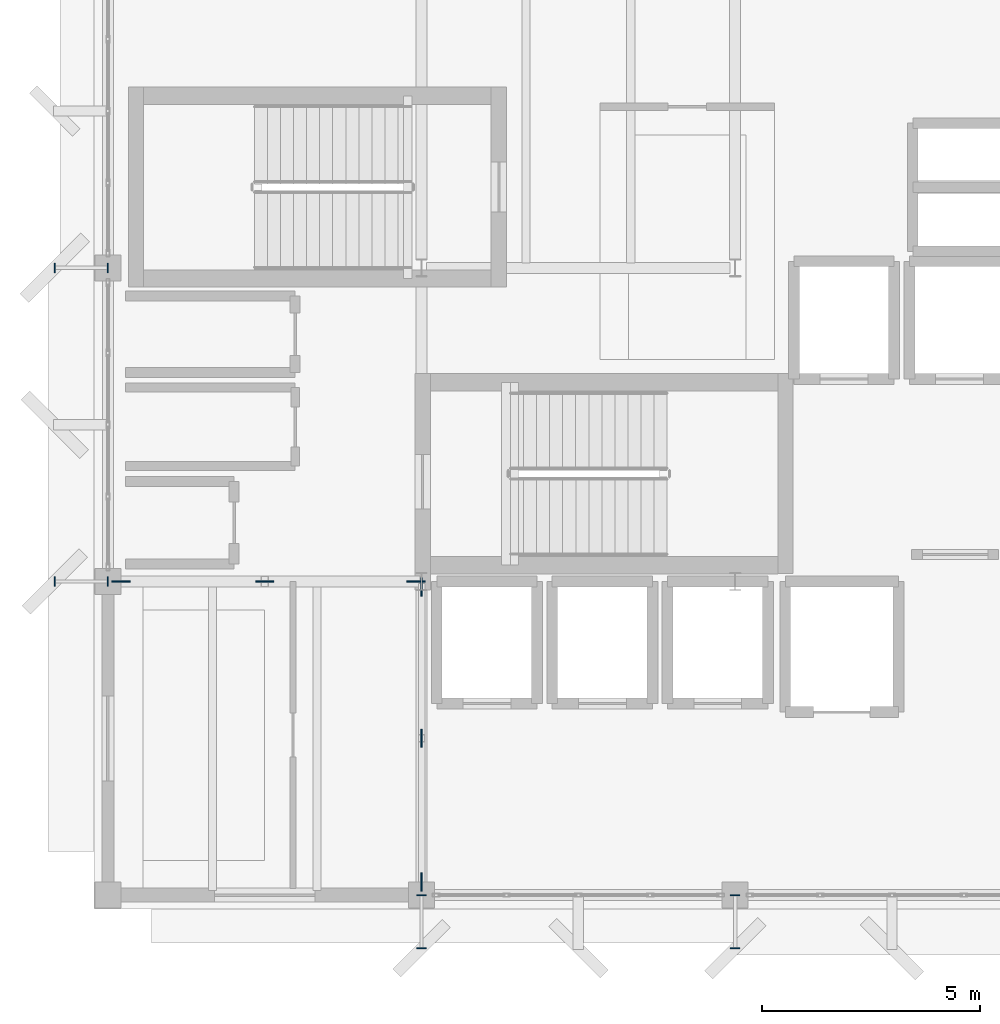
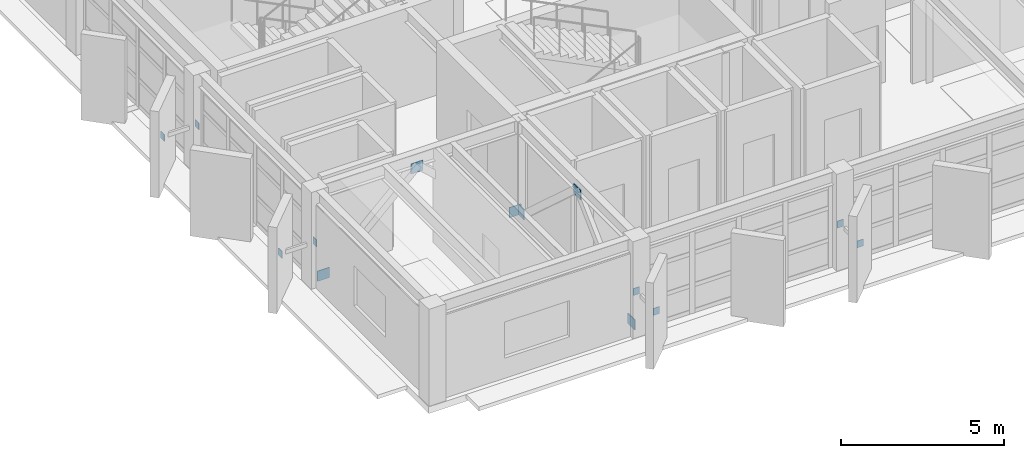
# One storey, part 16 of 19: 14 discrete accessories.
"""IFC4 building model written with IfcOpenShell, lengths in metres."""

from ifc_helpers import new_model, si_unit, direction, frame, origin, origin_2d, place, context, subcontext, project, spatial, rectangle, extrude, material, type_object, element, save


model = new_model("IFC4")

# Units and contexts
model_context = context("Model", 3, precision=1e-05, world=origin(), true_north=direction((0.0, 1.0)))
body_context = subcontext(model_context, "Body", "Model", "MODEL_VIEW")
ifc_project = project(units=[si_unit("LENGTHUNIT", "METRE"), si_unit("AREAUNIT", "SQUARE_METRE"), si_unit("VOLUMEUNIT", "CUBIC_METRE"), si_unit("PLANEANGLEUNIT", "RADIAN"), si_unit("MASSUNIT", "GRAM", prefix="KILO")], contexts=[model_context])

# Site, building, storey
site_placement = place(None, origin())
site = spatial("IfcSite", under=ifc_project, at=site_placement, CompositionType="ELEMENT")
building_placement = place(site_placement, origin())
building = spatial("IfcBuilding", under=site, at=building_placement, Name="Kandorven Conservatory and Botanical Research Centre", CompositionType="ELEMENT")
storey_placement = place(building_placement, frame((0.0, 0.0, 28.800048828125)))
storey = spatial("IfcBuildingStorey", under=building, at=storey_placement, Name="L07", CompositionType="ELEMENT", Elevation=28.800048828125)

# Discrete accessories
ifc_material_1 = material(Name="Steel S355 (IS 2062 E350)", Category="steel")
discrete_accessory_type_1 = type_object("IfcDiscreteAccessoryType", Name="BraceGussetPlate", PredefinedType="BRACKET", material=ifc_material_1)
for number, where, z_axis, x_axis, name in (
    (1, (6.300048828125, 13.199951171875, -0.010009765625), (0.0, 0.0, 1.0), (1.0, 0.0, 0.0), "Welded chevron brace gusset plate L07 X-W"),
    (2, (9.60009765625, 13.199951171875, 2.840087890625), (0.0, 0.0, 1.0), (1.0, 0.0, 0.0), "Welded chevron brace gusset plate L07 X-M"),
    (3, (13.074951171875, 13.199951171875, -0.010009765625), (0.0, 0.0, 1.0), (1.0, 0.0, 0.0), "Welded chevron brace gusset plate L07 X-E"),
):
    element("IfcDiscreteAccessory", number, at=place(storey_placement, frame(where, z_axis=z_axis, x_axis=x_axis)), inside=storey, type_object=discrete_accessory_type_1, Name=name, PredefinedType="BRACKET", context=body_context, shape_type="SweptSolid", body=[
        extrude(rectangle(XDim=0.419921875, YDim=0.028076171875, at=origin_2d()), origin(), (0.0, 0.0, 1.0), 0.3798828125),
    ])
for number, where, z_axis, x_axis, name in (
    (4, (13.199951171875, 6.300048828125, -0.010009765625), (0.0, 0.0, 1.0), (1.0, 0.0, 0.0), "Welded chevron brace gusset plate L07 Y-S"),
    (5, (13.199951171875, 9.60009765625, 2.840087890625), (0.0, 0.0, 1.0), (1.0, 0.0, 0.0), "Welded chevron brace gusset plate L07 Y-M"),
    (6, (13.199951171875, 13.074951171875, -0.010009765625), (0.0, 0.0, 1.0), (1.0, 0.0, 0.0), "Welded chevron brace gusset plate L07 Y-N"),
):
    element("IfcDiscreteAccessory", number, at=place(storey_placement, frame(where, z_axis=z_axis, x_axis=x_axis)), inside=storey, type_object=discrete_accessory_type_1, Name=name, PredefinedType="BRACKET", context=body_context, shape_type="SweptSolid", body=[
        extrude(rectangle(XDim=0.028076171875, YDim=0.419921875, at=origin_2d()), origin(), (0.0, 0.0, 1.0), 0.3798828125),
    ])
ifc_material_2 = material(Name="Steel S355 (IS 2062 E350)", Category="steel")
discrete_accessory_type_2 = type_object("IfcDiscreteAccessoryType", Name="SteelGussetPlate", PredefinedType="BRACKET", material=ifc_material_2)
for number, where, z_axis, x_axis, name in (
    (7, (13.199951171875, 6.0, 1.3701171875), (0.0, 0.0, 1.0), (1.0, 0.0, 0.0), "Welded steel strut end-plate GUS-01 #73A"),
    (8, (13.199951171875, 4.780029296875, 1.3701171875), (0.0, 0.0, 1.0), (1.0, 0.0, 0.0), "Welded steel strut end-plate GUS-01 #73B"),
    (9, (20.39990234375, 6.0, 1.3701171875), (0.0, 0.0, 1.0), (1.0, 0.0, 0.0), "Welded steel strut end-plate GUS-01 #75A"),
    (10, (20.39990234375, 4.780029296875, 1.3701171875), (0.0, 0.0, 1.0), (1.0, 0.0, 0.0), "Welded steel strut end-plate GUS-01 #75B"),
):
    element("IfcDiscreteAccessory", number, at=place(storey_placement, frame(where, z_axis=z_axis, x_axis=x_axis)), inside=storey, type_object=discrete_accessory_type_2, Name=name, PredefinedType="BRACKET", context=body_context, shape_type="SweptSolid", body=[
        extrude(rectangle(XDim=0.219970703125, YDim=0.02392578125, at=origin_2d()), origin(), (0.0, 0.0, 1.0), 0.260009765625),
    ])
for number, where, z_axis, x_axis, name in (
    (11, (6.0, 13.199951171875, 1.3701171875), (0.0, 0.0, 1.0), (1.0, 0.0, 0.0), "Welded steel strut end-plate GUS-01 #77A"),
    (12, (4.780029296875, 13.199951171875, 1.3701171875), (0.0, 0.0, 1.0), (1.0, 0.0, 0.0), "Welded steel strut end-plate GUS-01 #77B"),
    (13, (6.0, 20.39990234375, 1.3701171875), (0.0, 0.0, 1.0), (1.0, 0.0, 0.0), "Welded steel strut end-plate GUS-01 #79A"),
    (14, (4.780029296875, 20.39990234375, 1.3701171875), (0.0, 0.0, 1.0), (1.0, 0.0, 0.0), "Welded steel strut end-plate GUS-01 #79B"),
):
    element("IfcDiscreteAccessory", number, at=place(storey_placement, frame(where, z_axis=z_axis, x_axis=x_axis)), inside=storey, type_object=discrete_accessory_type_2, Name=name, PredefinedType="BRACKET", context=body_context, shape_type="SweptSolid", body=[
        extrude(rectangle(XDim=0.02392578125, YDim=0.219970703125, at=origin_2d()), origin(), (0.0, 0.0, 1.0), 0.260009765625),
    ])

save(model, "model.ifc")
